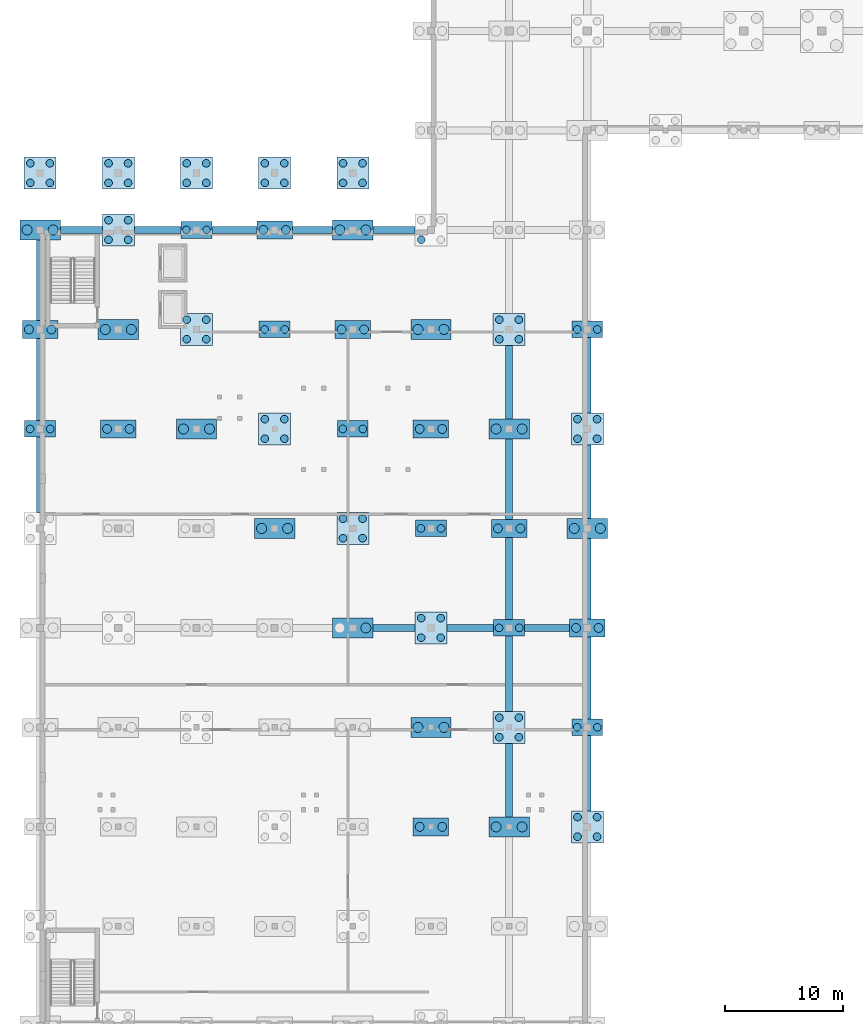
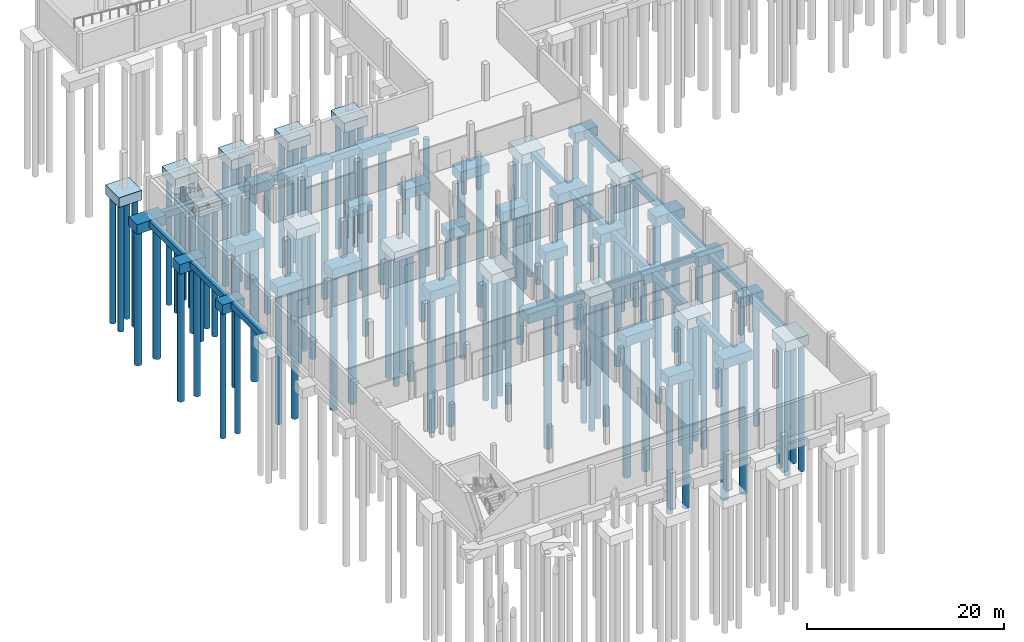
# One storey, part 2 of 25: 110 piles, 62 footings.
"""IFC4 building model written with IfcOpenShell, lengths in metres."""

from ifc_helpers import new_model, si_unit, direction, frame, origin, origin_2d, place, context, subcontext, project, spatial, rectangle, circle, extrude, material, layer, layer_set, material_profile, profile_set, type_object, element, save


model = new_model("IFC4")

# Units and contexts
model_context = context("Model", 3, precision=1e-05, world=origin(), true_north=direction((0.0, 1.0)))
body_context = subcontext(model_context, "Body", "Model", "MODEL_VIEW")
ifc_project = project(units=[si_unit("LENGTHUNIT", "METRE"), si_unit("AREAUNIT", "SQUARE_METRE"), si_unit("VOLUMEUNIT", "CUBIC_METRE"), si_unit("PLANEANGLEUNIT", "RADIAN"), si_unit("MASSUNIT", "GRAM", prefix="KILO")], contexts=[model_context])

# Site, building, storey
site_placement = place(None, origin())
site = spatial("IfcSite", under=ifc_project, at=site_placement, CompositionType="ELEMENT")
building_placement = place(site_placement, origin())
building = spatial("IfcBuilding", under=site, at=building_placement, Name="Qaldarim Faculty of Natural and Applied Sciences", CompositionType="ELEMENT")
storey_placement = place(building_placement, frame((0.0, 0.0, -4.5)))
storey = spatial("IfcBuildingStorey", under=building, at=storey_placement, Name="B01", CompositionType="ELEMENT", Elevation=-4.5)

# Piles
ifc_material = material(Name="Concrete C40/50", Category="concrete")
ifc_material_profile_1 = material_profile(ifc_material, circle(Radius=0.324951171875, at=origin_2d()), Name="PILE-D650")
ifc_profile_set_1 = profile_set([ifc_material_profile_1], Name="Concrete C40/50")
pile_type_1 = type_object("IfcPileType", Name="BoredPile-D650-L15800", PredefinedType="BORED", material=ifc_profile_set_1)
for number, where, z_axis, x_axis, name in (
    (1, (-0.85009765625, 67.199951171875, -1.699951171875), (0.0, 0.0, -1.0), (1.0, 0.0, 0.0), "Bored pile PL01 1 under FTG-PC01-X01Y09"),
    (2, (0.85009765625, 67.199951171875, -1.699951171875), (0.0, 0.0, -1.0), (1.0, 0.0, 0.0), "Bored pile PL01 2 under FTG-PC01-X01Y09"),
    (3, (5.77490234375, 83.175048828125, -1.699951171875), (0.0, 0.0, -1.0), (1.0, 0.0, 0.0), "Bored pile PL01 1 under FTG-PC04-X02Y11"),
    (4, (5.77490234375, 84.824951171875, -1.699951171875), (0.0, 0.0, -1.0), (1.0, 0.0, 0.0), "Bored pile PL01 2 under FTG-PC04-X02Y11"),
    (5, (7.425048828125, 83.175048828125, -1.699951171875), (0.0, 0.0, -1.0), (1.0, 0.0, 0.0), "Bored pile PL01 3 under FTG-PC04-X02Y11"),
    (6, (7.425048828125, 84.824951171875, -1.699951171875), (0.0, 0.0, -1.0), (1.0, 0.0, 0.0), "Bored pile PL01 4 under FTG-PC04-X02Y11"),
    (7, (12.375, 74.77490234375, -1.699951171875), (0.0, 0.0, -1.0), (1.0, 0.0, 0.0), "Bored pile PL01 1 under FTG-PC04-X03Y10"),
    (8, (12.375, 76.425048828125, -1.699951171875), (0.0, 0.0, -1.0), (1.0, 0.0, 0.0), "Bored pile PL01 2 under FTG-PC04-X03Y10"),
    (9, (14.02490234375, 74.77490234375, -1.699951171875), (0.0, 0.0, -1.0), (1.0, 0.0, 0.0), "Bored pile PL01 3 under FTG-PC04-X03Y10"),
    (10, (14.02490234375, 76.425048828125, -1.699951171875), (0.0, 0.0, -1.0), (1.0, 0.0, 0.0), "Bored pile PL01 4 under FTG-PC04-X03Y10"),
    (11, (12.35009765625, 84.0, -1.699951171875), (0.0, 0.0, -1.0), (1.0, 0.0, 0.0), "Bored pile PL01 1 under FTG-PC01-X03Y11"),
    (12, (14.050048828125, 84.0, -1.699951171875), (0.0, 0.0, -1.0), (1.0, 0.0, 0.0), "Bored pile PL01 2 under FTG-PC01-X03Y11"),
    (13, (18.97509765625, 66.375, -1.699951171875), (0.0, 0.0, -1.0), (1.0, 0.0, 0.0), "Bored pile PL01 1 under FTG-PC04-X04Y09"),
    (14, (18.97509765625, 68.02490234375, -1.699951171875), (0.0, 0.0, -1.0), (1.0, 0.0, 0.0), "Bored pile PL01 2 under FTG-PC04-X04Y09"),
    (15, (20.625, 66.375, -1.699951171875), (0.0, 0.0, -1.0), (1.0, 0.0, 0.0), "Bored pile PL01 3 under FTG-PC04-X04Y09"),
    (16, (20.625, 68.02490234375, -1.699951171875), (0.0, 0.0, -1.0), (1.0, 0.0, 0.0), "Bored pile PL01 4 under FTG-PC04-X04Y09"),
    (17, (18.949951171875, 75.60009765625, -1.699951171875), (0.0, 0.0, -1.0), (1.0, 0.0, 0.0), "Bored pile PL01 1 under FTG-PC01-X04Y10"),
    (18, (20.64990234375, 75.60009765625, -1.699951171875), (0.0, 0.0, -1.0), (1.0, 0.0, 0.0), "Bored pile PL01 2 under FTG-PC01-X04Y10"),
    (19, (25.574951171875, 57.97509765625, -1.699951171875), (0.0, 0.0, -1.0), (1.0, 0.0, 0.0), "Bored pile PL01 1 under FTG-PC04-X05Y08"),
    (20, (25.574951171875, 59.625, -1.699951171875), (0.0, 0.0, -1.0), (1.0, 0.0, 0.0), "Bored pile PL01 2 under FTG-PC04-X05Y08"),
    (21, (27.22509765625, 57.97509765625, -1.699951171875), (0.0, 0.0, -1.0), (1.0, 0.0, 0.0), "Bored pile PL01 3 under FTG-PC04-X05Y08"),
    (22, (27.22509765625, 59.625, -1.699951171875), (0.0, 0.0, -1.0), (1.0, 0.0, 0.0), "Bored pile PL01 4 under FTG-PC04-X05Y08"),
    (23, (25.550048828125, 67.199951171875, -1.699951171875), (0.0, 0.0, -1.0), (1.0, 0.0, 0.0), "Bored pile PL01 1 under FTG-PC01-X05Y09"),
    (24, (27.25, 67.199951171875, -1.699951171875), (0.0, 0.0, -1.0), (1.0, 0.0, 0.0), "Bored pile PL01 2 under FTG-PC01-X05Y09"),
    (25, (32.175048828125, 49.574951171875, -1.699951171875), (0.0, 0.0, -1.0), (1.0, 0.0, 0.0), "Bored pile PL01 1 under FTG-PC04-X06Y07"),
    (26, (32.175048828125, 51.22509765625, -1.699951171875), (0.0, 0.0, -1.0), (1.0, 0.0, 0.0), "Bored pile PL01 2 under FTG-PC04-X06Y07"),
    (27, (33.824951171875, 49.574951171875, -1.699951171875), (0.0, 0.0, -1.0), (1.0, 0.0, 0.0), "Bored pile PL01 3 under FTG-PC04-X06Y07"),
    (28, (33.824951171875, 51.22509765625, -1.699951171875), (0.0, 0.0, -1.0), (1.0, 0.0, 0.0), "Bored pile PL01 4 under FTG-PC04-X06Y07"),
    (29, (32.14990234375, 58.800048828125, -1.699951171875), (0.0, 0.0, -1.0), (1.0, 0.0, 0.0), "Bored pile PL01 1 under FTG-PC01-X06Y08"),
    (30, (33.85009765625, 58.800048828125, -1.699951171875), (0.0, 0.0, -1.0), (1.0, 0.0, 0.0), "Bored pile PL01 2 under FTG-PC01-X06Y08"),
    (31, (32.175048828125, 83.175048828125, -1.699951171875), (0.0, 0.0, -1.0), (1.0, 0.0, 0.0), "Bored pile PL01 1 under FTG-PC04-X06Y11"),
    (32, (38.77490234375, 41.175048828125, -1.699951171875), (0.0, 0.0, -1.0), (1.0, 0.0, 0.0), "Bored pile PL01 1 under FTG-PC04-X07Y06"),
    (33, (38.77490234375, 42.824951171875, -1.699951171875), (0.0, 0.0, -1.0), (1.0, 0.0, 0.0), "Bored pile PL01 2 under FTG-PC04-X07Y06"),
    (34, (40.425048828125, 41.175048828125, -1.699951171875), (0.0, 0.0, -1.0), (1.0, 0.0, 0.0), "Bored pile PL01 3 under FTG-PC04-X07Y06"),
    (35, (40.425048828125, 42.824951171875, -1.699951171875), (0.0, 0.0, -1.0), (1.0, 0.0, 0.0), "Bored pile PL01 4 under FTG-PC04-X07Y06"),
    (36, (38.75, 50.39990234375, -1.699951171875), (0.0, 0.0, -1.0), (1.0, 0.0, 0.0), "Bored pile PL01 1 under FTG-PC01-X07Y07"),
    (37, (40.449951171875, 50.39990234375, -1.699951171875), (0.0, 0.0, -1.0), (1.0, 0.0, 0.0), "Bored pile PL01 2 under FTG-PC01-X07Y07"),
    (38, (38.77490234375, 74.77490234375, -1.699951171875), (0.0, 0.0, -1.0), (1.0, 0.0, 0.0), "Bored pile PL01 1 under FTG-PC04-X07Y10"),
    (39, (38.77490234375, 76.425048828125, -1.699951171875), (0.0, 0.0, -1.0), (1.0, 0.0, 0.0), "Bored pile PL01 2 under FTG-PC04-X07Y10"),
    (40, (40.425048828125, 74.77490234375, -1.699951171875), (0.0, 0.0, -1.0), (1.0, 0.0, 0.0), "Bored pile PL01 3 under FTG-PC04-X07Y10"),
    (41, (40.425048828125, 76.425048828125, -1.699951171875), (0.0, 0.0, -1.0), (1.0, 0.0, 0.0), "Bored pile PL01 4 under FTG-PC04-X07Y10"),
    (42, (45.375, 32.77490234375, -1.699951171875), (0.0, 0.0, -1.0), (1.0, 0.0, 0.0), "Bored pile PL01 1 under FTG-PC04-X08Y05"),
    (43, (45.375, 34.425048828125, -1.699951171875), (0.0, 0.0, -1.0), (1.0, 0.0, 0.0), "Bored pile PL01 2 under FTG-PC04-X08Y05"),
    (44, (47.02490234375, 32.77490234375, -1.699951171875), (0.0, 0.0, -1.0), (1.0, 0.0, 0.0), "Bored pile PL01 3 under FTG-PC04-X08Y05"),
    (45, (47.02490234375, 34.425048828125, -1.699951171875), (0.0, 0.0, -1.0), (1.0, 0.0, 0.0), "Bored pile PL01 4 under FTG-PC04-X08Y05"),
    (46, (45.35009765625, 42.0, -1.699951171875), (0.0, 0.0, -1.0), (1.0, 0.0, 0.0), "Bored pile PL01 1 under FTG-PC01-X08Y06"),
    (47, (47.050048828125, 42.0, -1.699951171875), (0.0, 0.0, -1.0), (1.0, 0.0, 0.0), "Bored pile PL01 2 under FTG-PC01-X08Y06"),
    (48, (45.375, 66.375, -1.699951171875), (0.0, 0.0, -1.0), (1.0, 0.0, 0.0), "Bored pile PL01 1 under FTG-PC04-X08Y09"),
    (49, (45.375, 68.02490234375, -1.699951171875), (0.0, 0.0, -1.0), (1.0, 0.0, 0.0), "Bored pile PL01 2 under FTG-PC04-X08Y09"),
    (50, (47.02490234375, 66.375, -1.699951171875), (0.0, 0.0, -1.0), (1.0, 0.0, 0.0), "Bored pile PL01 3 under FTG-PC04-X08Y09"),
    (51, (47.02490234375, 68.02490234375, -1.699951171875), (0.0, 0.0, -1.0), (1.0, 0.0, 0.0), "Bored pile PL01 4 under FTG-PC04-X08Y09"),
    (52, (45.35009765625, 75.60009765625, -1.699951171875), (0.0, 0.0, -1.0), (1.0, 0.0, 0.0), "Bored pile PL01 1 under FTG-PC01-X08Y10"),
    (53, (47.050048828125, 75.60009765625, -1.699951171875), (0.0, 0.0, -1.0), (1.0, 0.0, 0.0), "Bored pile PL01 2 under FTG-PC01-X08Y10"),
    (54, (-0.824951171875, 87.97509765625, -1.10009765625), (0.0, 0.0, -1.0), (1.0, 0.0, 0.0), "Bored pile PL01 1 under FTG-BUT-N-01"),
    (55, (-0.824951171875, 89.625, -1.10009765625), (0.0, 0.0, -1.0), (1.0, 0.0, 0.0), "Bored pile PL01 2 under FTG-BUT-N-01"),
    (56, (0.824951171875, 87.97509765625, -1.10009765625), (0.0, 0.0, -1.0), (1.0, 0.0, 0.0), "Bored pile PL01 3 under FTG-BUT-N-01"),
    (57, (0.824951171875, 89.625, -1.10009765625), (0.0, 0.0, -1.0), (1.0, 0.0, 0.0), "Bored pile PL01 4 under FTG-BUT-N-01"),
    (58, (5.77490234375, 87.97509765625, -1.10009765625), (0.0, 0.0, -1.0), (1.0, 0.0, 0.0), "Bored pile PL01 1 under FTG-BUT-N-02"),
    (59, (5.77490234375, 89.625, -1.10009765625), (0.0, 0.0, -1.0), (1.0, 0.0, 0.0), "Bored pile PL01 2 under FTG-BUT-N-02"),
    (60, (7.425048828125, 87.97509765625, -1.10009765625), (0.0, 0.0, -1.0), (1.0, 0.0, 0.0), "Bored pile PL01 3 under FTG-BUT-N-02"),
    (61, (7.425048828125, 89.625, -1.10009765625), (0.0, 0.0, -1.0), (1.0, 0.0, 0.0), "Bored pile PL01 4 under FTG-BUT-N-02"),
    (62, (12.375, 87.97509765625, -1.10009765625), (0.0, 0.0, -1.0), (1.0, 0.0, 0.0), "Bored pile PL01 1 under FTG-BUT-N-03"),
    (63, (12.375, 89.625, -1.10009765625), (0.0, 0.0, -1.0), (1.0, 0.0, 0.0), "Bored pile PL01 2 under FTG-BUT-N-03"),
    (64, (14.02490234375, 87.97509765625, -1.10009765625), (0.0, 0.0, -1.0), (1.0, 0.0, 0.0), "Bored pile PL01 3 under FTG-BUT-N-03"),
    (65, (14.02490234375, 89.625, -1.10009765625), (0.0, 0.0, -1.0), (1.0, 0.0, 0.0), "Bored pile PL01 4 under FTG-BUT-N-03"),
    (66, (18.97509765625, 87.97509765625, -1.10009765625), (0.0, 0.0, -1.0), (1.0, 0.0, 0.0), "Bored pile PL01 1 under FTG-BUT-N-04"),
    (67, (18.97509765625, 89.625, -1.10009765625), (0.0, 0.0, -1.0), (1.0, 0.0, 0.0), "Bored pile PL01 2 under FTG-BUT-N-04"),
    (68, (20.625, 87.97509765625, -1.10009765625), (0.0, 0.0, -1.0), (1.0, 0.0, 0.0), "Bored pile PL01 3 under FTG-BUT-N-04"),
    (69, (20.625, 89.625, -1.10009765625), (0.0, 0.0, -1.0), (1.0, 0.0, 0.0), "Bored pile PL01 4 under FTG-BUT-N-04"),
    (70, (25.574951171875, 87.97509765625, -1.10009765625), (0.0, 0.0, -1.0), (1.0, 0.0, 0.0), "Bored pile PL01 1 under FTG-BUT-N-05"),
    (71, (25.574951171875, 89.625, -1.10009765625), (0.0, 0.0, -1.0), (1.0, 0.0, 0.0), "Bored pile PL01 2 under FTG-BUT-N-05"),
    (72, (27.22509765625, 87.97509765625, -1.10009765625), (0.0, 0.0, -1.0), (1.0, 0.0, 0.0), "Bored pile PL01 3 under FTG-BUT-N-05"),
    (73, (27.22509765625, 89.625, -1.10009765625), (0.0, 0.0, -1.0), (1.0, 0.0, 0.0), "Bored pile PL01 4 under FTG-BUT-N-05"),
):
    element("IfcPile", number, at=place(storey_placement, frame(where, z_axis=z_axis, x_axis=x_axis)), inside=storey, type_object=pile_type_1, Name=name, PredefinedType="BORED", context=body_context, shape_type="SweptSolid", body=[
        extrude(circle(Radius=0.324951171875, at=origin_2d()), origin(), (0.0, 0.0, 1.0), 15.800048828125),
    ])
ifc_material_profile_2 = material_profile(ifc_material, circle(Radius=0.375, at=origin_2d()), Name="PILE-D750")
ifc_profile_set_2 = profile_set([ifc_material_profile_2], Name="Concrete C40/50")
pile_type_2 = type_object("IfcPileType", Name="BoredPile-D750-L16300", PredefinedType="BORED", material=ifc_profile_set_2)
for number, where, z_axis, x_axis, name in (
    (74, (-0.949951171875, 75.60009765625, -1.699951171875), (0.0, 0.0, -1.0), (1.0, 0.0, 0.0), "Bored pile PL02 1 under FTG-PC02-X01Y10"),
    (75, (0.949951171875, 75.60009765625, -1.699951171875), (0.0, 0.0, -1.0), (1.0, 0.0, 0.0), "Bored pile PL02 2 under FTG-PC02-X01Y10"),
    (76, (5.64990234375, 67.199951171875, -1.699951171875), (0.0, 0.0, -1.0), (1.0, 0.0, 0.0), "Bored pile PL02 1 under FTG-PC02-X02Y09"),
    (77, (7.550048828125, 67.199951171875, -1.699951171875), (0.0, 0.0, -1.0), (1.0, 0.0, 0.0), "Bored pile PL02 2 under FTG-PC02-X02Y09"),
    (78, (18.85009765625, 84.0, -1.699951171875), (0.0, 0.0, -1.0), (1.0, 0.0, 0.0), "Bored pile PL02 1 under FTG-PC02-X04Y11"),
    (79, (20.75, 84.0, -1.699951171875), (0.0, 0.0, -1.0), (1.0, 0.0, 0.0), "Bored pile PL02 2 under FTG-PC02-X04Y11"),
    (80, (25.449951171875, 75.60009765625, -1.699951171875), (0.0, 0.0, -1.0), (1.0, 0.0, 0.0), "Bored pile PL02 1 under FTG-PC02-X05Y10"),
    (81, (27.35009765625, 75.60009765625, -1.699951171875), (0.0, 0.0, -1.0), (1.0, 0.0, 0.0), "Bored pile PL02 2 under FTG-PC02-X05Y10"),
    (82, (32.050048828125, 33.60009765625, -1.699951171875), (0.0, 0.0, -1.0), (1.0, 0.0, 0.0), "Bored pile PL02 1 under FTG-PC02-X06Y05"),
    (83, (33.949951171875, 33.60009765625, -1.699951171875), (0.0, 0.0, -1.0), (1.0, 0.0, 0.0), "Bored pile PL02 2 under FTG-PC02-X06Y05"),
    (84, (32.050048828125, 67.199951171875, -1.699951171875), (0.0, 0.0, -1.0), (1.0, 0.0, 0.0), "Bored pile PL02 1 under FTG-PC02-X06Y09"),
    (85, (33.949951171875, 67.199951171875, -1.699951171875), (0.0, 0.0, -1.0), (1.0, 0.0, 0.0), "Bored pile PL02 2 under FTG-PC02-X06Y09"),
    (86, (38.64990234375, 58.800048828125, -1.699951171875), (0.0, 0.0, -1.0), (1.0, 0.0, 0.0), "Bored pile PL02 1 under FTG-PC02-X07Y08"),
    (87, (40.550048828125, 58.800048828125, -1.699951171875), (0.0, 0.0, -1.0), (1.0, 0.0, 0.0), "Bored pile PL02 2 under FTG-PC02-X07Y08"),
    (88, (45.25, 50.39990234375, -1.699951171875), (0.0, 0.0, -1.0), (1.0, 0.0, 0.0), "Bored pile PL02 1 under FTG-PC02-X08Y07"),
    (89, (47.14990234375, 50.39990234375, -1.699951171875), (0.0, 0.0, -1.0), (1.0, 0.0, 0.0), "Bored pile PL02 2 under FTG-PC02-X08Y07"),
):
    element("IfcPile", number, at=place(storey_placement, frame(where, z_axis=z_axis, x_axis=x_axis)), inside=storey, type_object=pile_type_2, Name=name, PredefinedType="BORED", context=body_context, shape_type="SweptSolid", body=[
        extrude(circle(Radius=0.375, at=origin_2d()), origin(), (0.0, 0.0, 1.0), 16.300048828125),
    ])
ifc_material_profile_3 = material_profile(ifc_material, circle(Radius=0.425048828125, at=origin_2d()), Name="PILE-D850")
ifc_profile_set_3 = profile_set([ifc_material_profile_3], Name="Concrete C40/50")
pile_type_3 = type_object("IfcPileType", Name="BoredPile-D850-L16800", PredefinedType="BORED", material=ifc_profile_set_3)
for number, where, z_axis, x_axis, name in (
    (90, (-1.10009765625, 84.0, -1.699951171875), (0.0, 0.0, -1.0), (1.0, 0.0, 0.0), "Bored pile PL03 1 under FTG-PC03-X01Y11"),
    (91, (1.10009765625, 84.0, -1.699951171875), (0.0, 0.0, -1.0), (1.0, 0.0, 0.0), "Bored pile PL03 2 under FTG-PC03-X01Y11"),
    (92, (5.5, 75.60009765625, -1.699951171875), (0.0, 0.0, -1.0), (1.0, 0.0, 0.0), "Bored pile PL03 1 under FTG-PC03-X02Y10"),
    (93, (7.699951171875, 75.60009765625, -1.699951171875), (0.0, 0.0, -1.0), (1.0, 0.0, 0.0), "Bored pile PL03 2 under FTG-PC03-X02Y10"),
    (94, (12.10009765625, 67.199951171875, -1.699951171875), (0.0, 0.0, -1.0), (1.0, 0.0, 0.0), "Bored pile PL03 1 under FTG-PC03-X03Y09"),
    (95, (14.300048828125, 67.199951171875, -1.699951171875), (0.0, 0.0, -1.0), (1.0, 0.0, 0.0), "Bored pile PL03 2 under FTG-PC03-X03Y09"),
    (96, (18.699951171875, 58.800048828125, -1.699951171875), (0.0, 0.0, -1.0), (1.0, 0.0, 0.0), "Bored pile PL03 1 under FTG-PC03-X04Y08"),
    (97, (20.89990234375, 58.800048828125, -1.699951171875), (0.0, 0.0, -1.0), (1.0, 0.0, 0.0), "Bored pile PL03 2 under FTG-PC03-X04Y08"),
    (98, (27.5, 50.39990234375, -1.699951171875), (0.0, 0.0, -1.0), (1.0, 0.0, 0.0), "Bored pile PL03 2 under FTG-PC03-X05Y07"),
    (99, (25.300048828125, 84.0, -1.699951171875), (0.0, 0.0, -1.0), (1.0, 0.0, 0.0), "Bored pile PL03 1 under FTG-PC03-X05Y11"),
    (100, (27.5, 84.0, -1.699951171875), (0.0, 0.0, -1.0), (1.0, 0.0, 0.0), "Bored pile PL03 2 under FTG-PC03-X05Y11"),
    (101, (31.89990234375, 42.0, -1.699951171875), (0.0, 0.0, -1.0), (1.0, 0.0, 0.0), "Bored pile PL03 1 under FTG-PC03-X06Y06"),
    (102, (34.10009765625, 42.0, -1.699951171875), (0.0, 0.0, -1.0), (1.0, 0.0, 0.0), "Bored pile PL03 2 under FTG-PC03-X06Y06"),
    (103, (31.89990234375, 75.60009765625, -1.699951171875), (0.0, 0.0, -1.0), (1.0, 0.0, 0.0), "Bored pile PL03 1 under FTG-PC03-X06Y10"),
    (104, (34.10009765625, 75.60009765625, -1.699951171875), (0.0, 0.0, -1.0), (1.0, 0.0, 0.0), "Bored pile PL03 2 under FTG-PC03-X06Y10"),
    (105, (38.5, 33.60009765625, -1.699951171875), (0.0, 0.0, -1.0), (1.0, 0.0, 0.0), "Bored pile PL03 1 under FTG-PC03-X07Y05"),
    (106, (40.699951171875, 33.60009765625, -1.699951171875), (0.0, 0.0, -1.0), (1.0, 0.0, 0.0), "Bored pile PL03 2 under FTG-PC03-X07Y05"),
    (107, (38.5, 67.199951171875, -1.699951171875), (0.0, 0.0, -1.0), (1.0, 0.0, 0.0), "Bored pile PL03 1 under FTG-PC03-X07Y09"),
    (108, (40.699951171875, 67.199951171875, -1.699951171875), (0.0, 0.0, -1.0), (1.0, 0.0, 0.0), "Bored pile PL03 2 under FTG-PC03-X07Y09"),
    (109, (45.10009765625, 58.800048828125, -1.699951171875), (0.0, 0.0, -1.0), (1.0, 0.0, 0.0), "Bored pile PL03 1 under FTG-PC03-X08Y08"),
    (110, (47.300048828125, 58.800048828125, -1.699951171875), (0.0, 0.0, -1.0), (1.0, 0.0, 0.0), "Bored pile PL03 2 under FTG-PC03-X08Y08"),
):
    element("IfcPile", number, at=place(storey_placement, frame(where, z_axis=z_axis, x_axis=x_axis)), inside=storey, type_object=pile_type_3, Name=name, PredefinedType="BORED", context=body_context, shape_type="SweptSolid", body=[
        extrude(circle(Radius=0.425048828125, at=origin_2d()), origin(), (0.0, 0.0, 1.0), 16.800048828125),
    ])

# Footings
ifc_layer_1 = layer(ifc_material, 1.199951171875)
ifc_layer_set_1 = layer_set([ifc_layer_1], Name="Concrete C40/50")
footing_type_1 = type_object("IfcFootingType", Name="FoundationCap-2600x1400x1200-2P650", PredefinedType="PILE_CAP", material=ifc_layer_set_1)
for number, where, z_axis, x_axis, name in (
    (111, (0.0, 67.199951171875, -1.7998046875), (0.0, 0.0, 1.0), (1.0, 0.0, 0.0), "Pile cap PC01 at X01/Y09"),
    (112, (13.199951171875, 84.0, -1.7998046875), (0.0, 0.0, 1.0), (1.0, 0.0, 0.0), "Pile cap PC01 at X03/Y11"),
    (113, (19.800048828125, 75.60009765625, -1.7998046875), (0.0, 0.0, 1.0), (1.0, 0.0, 0.0), "Pile cap PC01 at X04/Y10"),
    (114, (26.39990234375, 67.199951171875, -1.7998046875), (0.0, 0.0, 1.0), (1.0, 0.0, 0.0), "Pile cap PC01 at X05/Y09"),
    (115, (33.0, 58.800048828125, -1.7998046875), (0.0, 0.0, 1.0), (1.0, 0.0, 0.0), "Pile cap PC01 at X06/Y08"),
    (116, (39.60009765625, 50.39990234375, -1.7998046875), (0.0, 0.0, 1.0), (1.0, 0.0, 0.0), "Pile cap PC01 at X07/Y07"),
    (117, (46.199951171875, 42.0, -1.7998046875), (0.0, 0.0, 1.0), (1.0, 0.0, 0.0), "Pile cap PC01 at X08/Y06"),
    (118, (46.199951171875, 75.60009765625, -1.7998046875), (0.0, 0.0, 1.0), (1.0, 0.0, 0.0), "Pile cap PC01 at X08/Y10"),
):
    element("IfcFooting", number, at=place(storey_placement, frame(where, z_axis=z_axis, x_axis=x_axis)), inside=storey, type_object=footing_type_1, Name=name, PredefinedType="PILE_CAP", context=body_context, shape_type="SweptSolid", body=[
        extrude(rectangle(XDim=2.60009765625, YDim=1.39990234375, at=origin_2d()), origin(), (0.0, 0.0, 1.0), 1.199951171875),
    ])
ifc_layer_2 = layer(ifc_material, 1.199951171875)
ifc_layer_set_2 = layer_set([ifc_layer_2], Name="Concrete C40/50")
footing_type_2 = type_object("IfcFootingType", Name="FoundationCap-2700x2700x1200-4P650", PredefinedType="PILE_CAP", material=ifc_layer_set_2)
for number, where, z_axis, x_axis, name in (
    (119, (6.60009765625, 84.0, -1.7998046875), (0.0, 0.0, 1.0), (1.0, 0.0, 0.0), "Pile cap PC04 at X02/Y11"),
    (120, (13.199951171875, 75.60009765625, -1.7998046875), (0.0, 0.0, 1.0), (1.0, 0.0, 0.0), "Pile cap PC04 at X03/Y10"),
    (121, (19.800048828125, 67.199951171875, -1.7998046875), (0.0, 0.0, 1.0), (1.0, 0.0, 0.0), "Pile cap PC04 at X04/Y09"),
    (122, (26.39990234375, 58.800048828125, -1.7998046875), (0.0, 0.0, 1.0), (1.0, 0.0, 0.0), "Pile cap PC04 at X05/Y08"),
    (123, (33.0, 50.39990234375, -1.7998046875), (0.0, 0.0, 1.0), (1.0, 0.0, 0.0), "Pile cap PC04 at X06/Y07"),
    (124, (39.60009765625, 42.0, -1.7998046875), (0.0, 0.0, 1.0), (1.0, 0.0, 0.0), "Pile cap PC04 at X07/Y06"),
    (125, (39.60009765625, 75.60009765625, -1.7998046875), (0.0, 0.0, 1.0), (1.0, 0.0, 0.0), "Pile cap PC04 at X07/Y10"),
    (126, (46.199951171875, 33.60009765625, -1.7998046875), (0.0, 0.0, 1.0), (1.0, 0.0, 0.0), "Pile cap PC04 at X08/Y05"),
    (127, (46.199951171875, 67.199951171875, -1.7998046875), (0.0, 0.0, 1.0), (1.0, 0.0, 0.0), "Pile cap PC04 at X08/Y09"),
    (128, (0.0, 88.800048828125, -1.2001953125), (0.0, 0.0, 1.0), (1.0, 0.0, 0.0), "Shell north buttress pile cap 1"),
    (129, (6.60009765625, 88.800048828125, -1.2001953125), (0.0, 0.0, 1.0), (1.0, 0.0, 0.0), "Shell north buttress pile cap 2"),
    (130, (13.199951171875, 88.800048828125, -1.2001953125), (0.0, 0.0, 1.0), (1.0, 0.0, 0.0), "Shell north buttress pile cap 3"),
    (131, (19.800048828125, 88.800048828125, -1.2001953125), (0.0, 0.0, 1.0), (1.0, 0.0, 0.0), "Shell north buttress pile cap 4"),
    (132, (26.39990234375, 88.800048828125, -1.2001953125), (0.0, 0.0, 1.0), (1.0, 0.0, 0.0), "Shell north buttress pile cap 5"),
):
    element("IfcFooting", number, at=place(storey_placement, frame(where, z_axis=z_axis, x_axis=x_axis)), inside=storey, type_object=footing_type_2, Name=name, PredefinedType="PILE_CAP", context=body_context, shape_type="SweptSolid", body=[
        extrude(rectangle(XDim=2.699951171875, YDim=2.699951171875, at=origin_2d()), origin(), (0.0, 0.0, 1.0), 1.199951171875),
    ])
ifc_layer_3 = layer(ifc_material, 1.199951171875)
ifc_layer_set_3 = layer_set([ifc_layer_3], Name="Concrete C40/50")
footing_type_3 = type_object("IfcFootingType", Name="FoundationCap-3000x1500x1200-2P750", PredefinedType="PILE_CAP", material=ifc_layer_set_3)
for number, where, z_axis, x_axis, name in (
    (133, (0.0, 75.60009765625, -1.7998046875), (0.0, 0.0, 1.0), (1.0, 0.0, 0.0), "Pile cap PC02 at X01/Y10"),
    (134, (6.60009765625, 67.199951171875, -1.7998046875), (0.0, 0.0, 1.0), (1.0, 0.0, 0.0), "Pile cap PC02 at X02/Y09"),
    (135, (19.800048828125, 84.0, -1.7998046875), (0.0, 0.0, 1.0), (1.0, 0.0, 0.0), "Pile cap PC02 at X04/Y11"),
    (136, (26.39990234375, 75.60009765625, -1.7998046875), (0.0, 0.0, 1.0), (1.0, 0.0, 0.0), "Pile cap PC02 at X05/Y10"),
    (137, (33.0, 33.60009765625, -1.7998046875), (0.0, 0.0, 1.0), (1.0, 0.0, 0.0), "Pile cap PC02 at X06/Y05"),
    (138, (33.0, 67.199951171875, -1.7998046875), (0.0, 0.0, 1.0), (1.0, 0.0, 0.0), "Pile cap PC02 at X06/Y09"),
    (139, (39.60009765625, 58.800048828125, -1.7998046875), (0.0, 0.0, 1.0), (1.0, 0.0, 0.0), "Pile cap PC02 at X07/Y08"),
    (140, (46.199951171875, 50.39990234375, -1.7998046875), (0.0, 0.0, 1.0), (1.0, 0.0, 0.0), "Pile cap PC02 at X08/Y07"),
):
    element("IfcFooting", number, at=place(storey_placement, frame(where, z_axis=z_axis, x_axis=x_axis)), inside=storey, type_object=footing_type_3, Name=name, PredefinedType="PILE_CAP", context=body_context, shape_type="SweptSolid", body=[
        extrude(rectangle(XDim=3.0, YDim=1.5, at=origin_2d()), origin(), (0.0, 0.0, 1.0), 1.199951171875),
    ])
ifc_layer_4 = layer(ifc_material, 1.199951171875)
ifc_layer_set_4 = layer_set([ifc_layer_4], Name="Concrete C40/50")
footing_type_4 = type_object("IfcFootingType", Name="FoundationCap-3400x1700x1200-2P850", PredefinedType="PILE_CAP", material=ifc_layer_set_4)
for number, where, z_axis, x_axis, name in (
    (141, (0.0, 84.0, -1.7998046875), (0.0, 0.0, 1.0), (1.0, 0.0, 0.0), "Pile cap PC03 at X01/Y11"),
    (142, (6.60009765625, 75.60009765625, -1.7998046875), (0.0, 0.0, 1.0), (1.0, 0.0, 0.0), "Pile cap PC03 at X02/Y10"),
    (143, (13.199951171875, 67.199951171875, -1.7998046875), (0.0, 0.0, 1.0), (1.0, 0.0, 0.0), "Pile cap PC03 at X03/Y09"),
    (144, (19.800048828125, 58.800048828125, -1.7998046875), (0.0, 0.0, 1.0), (1.0, 0.0, 0.0), "Pile cap PC03 at X04/Y08"),
    (145, (26.39990234375, 50.39990234375, -1.7998046875), (0.0, 0.0, 1.0), (1.0, 0.0, 0.0), "Pile cap PC03 at X05/Y07"),
    (146, (26.39990234375, 84.0, -1.7998046875), (0.0, 0.0, 1.0), (1.0, 0.0, 0.0), "Pile cap PC03 at X05/Y11"),
    (147, (33.0, 42.0, -1.7998046875), (0.0, 0.0, 1.0), (1.0, 0.0, 0.0), "Pile cap PC03 at X06/Y06"),
    (148, (33.0, 75.60009765625, -1.7998046875), (0.0, 0.0, 1.0), (1.0, 0.0, 0.0), "Pile cap PC03 at X06/Y10"),
    (149, (39.60009765625, 33.60009765625, -1.7998046875), (0.0, 0.0, 1.0), (1.0, 0.0, 0.0), "Pile cap PC03 at X07/Y05"),
    (150, (39.60009765625, 67.199951171875, -1.7998046875), (0.0, 0.0, 1.0), (1.0, 0.0, 0.0), "Pile cap PC03 at X07/Y09"),
    (151, (46.199951171875, 58.800048828125, -1.7998046875), (0.0, 0.0, 1.0), (1.0, 0.0, 0.0), "Pile cap PC03 at X08/Y08"),
):
    element("IfcFooting", number, at=place(storey_placement, frame(where, z_axis=z_axis, x_axis=x_axis)), inside=storey, type_object=footing_type_4, Name=name, PredefinedType="PILE_CAP", context=body_context, shape_type="SweptSolid", body=[
        extrude(rectangle(XDim=3.39990234375, YDim=1.699951171875, at=origin_2d()), origin(), (0.0, 0.0, 1.0), 1.199951171875),
    ])
ifc_layer_5 = layer(ifc_material, 0.800048828125)
ifc_layer_set_5 = layer_set([ifc_layer_5], Name="Concrete C40/50")
footing_type_5 = type_object("IfcFootingType", Name="FoundationTie-3400x600x800", PredefinedType="STRIP_FOOTING", material=ifc_layer_set_5)
footing_placement = place(storey_placement, frame((23.0, 84.0, -1.39990234375), z_axis=(0.0, 0.0, 1.0), x_axis=(1.0, 0.0, 0.0)))
element("IfcFooting", 152, at=footing_placement, inside=storey, type_object=footing_type_5, Name="Strip footing SF08 X04Y11", PredefinedType="STRIP_FOOTING", context=body_context, shape_type="SweptSolid", body=[
    extrude(rectangle(XDim=3.39990234375, YDim=0.60009765625, at=origin_2d()), origin(), (0.0, 0.0, 1.0), 0.800048828125),
])
ifc_layer_6 = layer(ifc_material, 0.800048828125)
ifc_layer_set_6 = layer_set([ifc_layer_6], Name="Concrete C40/50")
footing_type_6 = type_object("IfcFootingType", Name="FoundationTie-3550x600x800", PredefinedType="STRIP_FOOTING", material=ifc_layer_set_6)
for number, where, z_axis, x_axis, name in (
    (153, (3.47509765625, 84.0, -1.39990234375), (0.0, 0.0, 1.0), (1.0, 0.0, 0.0), "Strip footing SF01 X01Y11"),
    (154, (29.875, 50.39990234375, -1.39990234375), (0.0, 0.0, 1.0), (1.0, 0.0, 0.0), "Strip footing SF01 X05Y07"),
    (155, (29.875, 84.0, -1.39990234375), (0.0, 0.0, 1.0), (1.0, 0.0, 0.0), "Strip footing SF01 X05Y11"),
):
    element("IfcFooting", number, at=place(storey_placement, frame(where, z_axis=z_axis, x_axis=x_axis)), inside=storey, type_object=footing_type_6, Name=name, PredefinedType="STRIP_FOOTING", context=body_context, shape_type="SweptSolid", body=[
        extrude(rectangle(XDim=3.550048828125, YDim=0.60009765625, at=origin_2d()), origin(), (0.0, 0.0, 1.0), 0.800048828125),
    ])
ifc_layer_7 = layer(ifc_material, 0.800048828125)
ifc_layer_set_7 = layer_set([ifc_layer_7], Name="Concrete C40/50")
footing_type_7 = type_object("IfcFootingType", Name="FoundationTie-3800x600x800", PredefinedType="STRIP_FOOTING", material=ifc_layer_set_7)
for number, where, z_axis, x_axis, name in (
    (156, (16.39990234375, 84.0, -1.39990234375), (0.0, 0.0, 1.0), (1.0, 0.0, 0.0), "Strip footing SF07 X03Y11"),
    (157, (42.800048828125, 50.39990234375, -1.39990234375), (0.0, 0.0, 1.0), (1.0, 0.0, 0.0), "Strip footing SF07 X07Y07"),
):
    element("IfcFooting", number, at=place(storey_placement, frame(where, z_axis=z_axis, x_axis=x_axis)), inside=storey, type_object=footing_type_7, Name=name, PredefinedType="STRIP_FOOTING", context=body_context, shape_type="SweptSolid", body=[
        extrude(rectangle(XDim=3.800048828125, YDim=0.60009765625, at=origin_2d()), origin(), (0.0, 0.0, 1.0), 0.800048828125),
    ])
ifc_layer_8 = layer(ifc_material, 0.800048828125)
ifc_layer_set_8 = layer_set([ifc_layer_8], Name="Concrete C40/50")
footing_type_8 = type_object("IfcFootingType", Name="FoundationTie-3950x600x800", PredefinedType="STRIP_FOOTING", material=ifc_layer_set_8)
for number, where, z_axis, x_axis, name in (
    (158, (9.925048828125, 84.0, -1.39990234375), (0.0, 0.0, 1.0), (1.0, 0.0, 0.0), "Strip footing SF06 X02Y11"),
    (159, (36.324951171875, 50.39990234375, -1.39990234375), (0.0, 0.0, 1.0), (1.0, 0.0, 0.0), "Strip footing SF06 X06Y07"),
):
    element("IfcFooting", number, at=place(storey_placement, frame(where, z_axis=z_axis, x_axis=x_axis)), inside=storey, type_object=footing_type_8, Name=name, PredefinedType="STRIP_FOOTING", context=body_context, shape_type="SweptSolid", body=[
        extrude(rectangle(XDim=3.949951171875, YDim=0.60009765625, at=origin_2d()), origin(), (0.0, 0.0, 1.0), 0.800048828125),
    ])
ifc_layer_9 = layer(ifc_material, 0.800048828125)
ifc_layer_set_9 = layer_set([ifc_layer_9], Name="Concrete C40/50")
footing_type_9 = type_object("IfcFootingType", Name="FoundationTie-6200x600x800", PredefinedType="STRIP_FOOTING", material=ifc_layer_set_9)
for number, where, z_axis, x_axis, name in (
    (160, (39.60009765625, 37.550048828125, -1.39990234375), (0.0, 0.0, 1.0), (0.0, 1.0, 0.0), "Strip footing SF02 X07Y05"),
    (161, (39.60009765625, 71.14990234375, -1.39990234375), (0.0, 0.0, 1.0), (0.0, 1.0, 0.0), "Strip footing SF02 X07Y09"),
    (162, (46.199951171875, 62.75, -1.39990234375), (0.0, 0.0, 1.0), (0.0, 1.0, 0.0), "Strip footing SF02 X08Y08"),
):
    element("IfcFooting", number, at=place(storey_placement, frame(where, z_axis=z_axis, x_axis=x_axis)), inside=storey, type_object=footing_type_9, Name=name, PredefinedType="STRIP_FOOTING", context=body_context, shape_type="SweptSolid", body=[
        extrude(rectangle(XDim=6.199951171875, YDim=0.60009765625, at=origin_2d()), origin(), (0.0, 0.0, 1.0), 0.800048828125),
    ])
ifc_layer_10 = layer(ifc_material, 0.800048828125)
ifc_layer_set_10 = layer_set([ifc_layer_10], Name="Concrete C40/50")
footing_type_10 = type_object("IfcFootingType", Name="FoundationTie-6350x600x800", PredefinedType="STRIP_FOOTING", material=ifc_layer_set_10)
for number, where, z_axis, x_axis, name in (
    (163, (0.0, 63.324951171875, -1.39990234375), (0.0, 0.0, 1.0), (0.0, 1.0, 0.0), "Strip footing SF03 X01Y08"),
    (164, (39.60009765625, 46.52490234375, -1.39990234375), (0.0, 0.0, 1.0), (0.0, 1.0, 0.0), "Strip footing SF03 X07Y06"),
    (165, (46.199951171875, 38.125, -1.39990234375), (0.0, 0.0, 1.0), (0.0, 1.0, 0.0), "Strip footing SF03 X08Y05"),
    (166, (46.199951171875, 71.72509765625, -1.39990234375), (0.0, 0.0, 1.0), (0.0, 1.0, 0.0), "Strip footing SF03 X08Y09"),
):
    element("IfcFooting", number, at=place(storey_placement, frame(where, z_axis=z_axis, x_axis=x_axis)), inside=storey, type_object=footing_type_10, Name=name, PredefinedType="STRIP_FOOTING", context=body_context, shape_type="SweptSolid", body=[
        extrude(rectangle(XDim=6.35009765625, YDim=0.60009765625, at=origin_2d()), origin(), (0.0, 0.0, 1.0), 0.800048828125),
    ])
ifc_layer_11 = layer(ifc_material, 0.800048828125)
ifc_layer_set_11 = layer_set([ifc_layer_11], Name="Concrete C40/50")
footing_type_11 = type_object("IfcFootingType", Name="FoundationTie-6800x600x800", PredefinedType="STRIP_FOOTING", material=ifc_layer_set_11)
for number, where, z_axis, x_axis, name in (
    (167, (0.0, 79.75, -1.39990234375), (0.0, 0.0, 1.0), (0.0, 1.0, 0.0), "Strip footing SF05 X01Y10"),
    (168, (39.60009765625, 62.949951171875, -1.39990234375), (0.0, 0.0, 1.0), (0.0, 1.0, 0.0), "Strip footing SF05 X07Y08"),
    (169, (46.199951171875, 54.550048828125, -1.39990234375), (0.0, 0.0, 1.0), (0.0, 1.0, 0.0), "Strip footing SF05 X08Y07"),
):
    element("IfcFooting", number, at=place(storey_placement, frame(where, z_axis=z_axis, x_axis=x_axis)), inside=storey, type_object=footing_type_11, Name=name, PredefinedType="STRIP_FOOTING", context=body_context, shape_type="SweptSolid", body=[
        extrude(rectangle(XDim=6.800048828125, YDim=0.60009765625, at=origin_2d()), origin(), (0.0, 0.0, 1.0), 0.800048828125),
    ])
ifc_layer_12 = layer(ifc_material, 0.800048828125)
ifc_layer_set_12 = layer_set([ifc_layer_12], Name="Concrete C40/50")
footing_type_12 = type_object("IfcFootingType", Name="FoundationTie-6950x600x800", PredefinedType="STRIP_FOOTING", material=ifc_layer_set_12)
for number, where, z_axis, x_axis, name in (
    (170, (0.0, 71.375, -1.39990234375), (0.0, 0.0, 1.0), (0.0, 1.0, 0.0), "Strip footing SF04 X01Y09"),
    (171, (39.60009765625, 54.574951171875, -1.39990234375), (0.0, 0.0, 1.0), (0.0, 1.0, 0.0), "Strip footing SF04 X07Y07"),
    (172, (46.199951171875, 46.175048828125, -1.39990234375), (0.0, 0.0, 1.0), (0.0, 1.0, 0.0), "Strip footing SF04 X08Y06"),
):
    element("IfcFooting", number, at=place(storey_placement, frame(where, z_axis=z_axis, x_axis=x_axis)), inside=storey, type_object=footing_type_12, Name=name, PredefinedType="STRIP_FOOTING", context=body_context, shape_type="SweptSolid", body=[
        extrude(rectangle(XDim=6.949951171875, YDim=0.60009765625, at=origin_2d()), origin(), (0.0, 0.0, 1.0), 0.800048828125),
    ])

save(model, "model.ifc")
